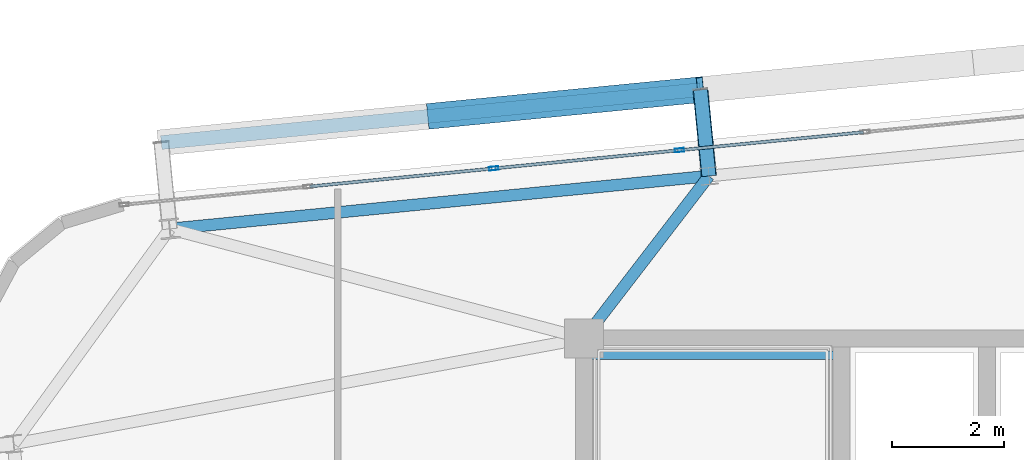
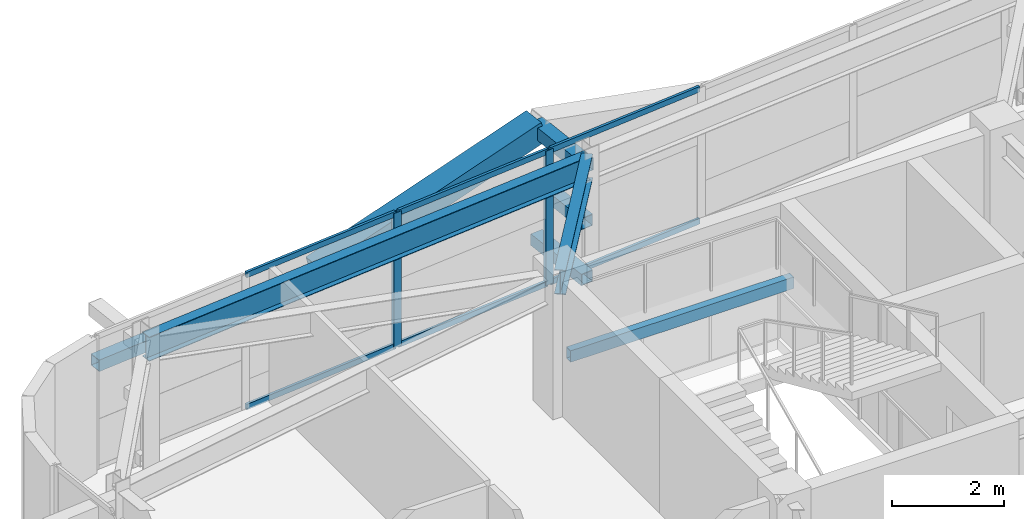
# One storey, part 28 of 54: 13 members, 3 beams, 1 element without a shape of its own.
"""IFC4 building model written with IfcOpenShell, lengths in metres."""

from ifc_helpers import new_model, si_unit, direction, frame, origin, origin_2d, place, context, subcontext, project, spatial, hollow_rectangle, i_section, extrude, source, transform, mapped, material, layer, layer_set, material_profile, profile_set, type_object, element, aggregate, save


model = new_model("IFC4")

# Units and contexts
model_context = context("Model", 3, precision=1e-05, world=origin(), true_north=direction((0.0, 1.0)))
body_context = subcontext(model_context, "Body", "Model", "MODEL_VIEW")
ifc_project = project(units=[si_unit("LENGTHUNIT", "METRE"), si_unit("AREAUNIT", "SQUARE_METRE"), si_unit("VOLUMEUNIT", "CUBIC_METRE"), si_unit("PLANEANGLEUNIT", "RADIAN"), si_unit("MASSUNIT", "GRAM", prefix="KILO")], contexts=[model_context])

# Site, building, storey
site_placement = place(None, origin())
site = spatial("IfcSite", under=ifc_project, at=site_placement, CompositionType="ELEMENT")
building_placement = place(site_placement, origin())
building = spatial("IfcBuilding", under=site, at=building_placement, Name="Taldren Reach Tower", CompositionType="ELEMENT")
storey_placement = place(building_placement, frame((0.0, 0.0, 99.75)))
storey = spatial("IfcBuildingStorey", under=building, at=storey_placement, Name="L30", CompositionType="ELEMENT", Elevation=99.75)

# Beams
ifc_material_1 = material(Name="Steel Gr 350 (350PLUS)", Category="steel")
ifc_material_profile_1 = material_profile(ifc_material_1, i_section(OverallWidth=0.208984375, OverallDepth=0.528076171875, WebThickness=0.009521484375, FlangeThickness=0.01318359375, at=origin_2d()), Name="530UB82.0")
ifc_profile_set_1 = profile_set([ifc_material_profile_1], Name="Steel Gr 350 (350PLUS)")
beam_type_1 = type_object("IfcBeamType", Name="SP-UB530B", PredefinedType="SPANDREL", material=ifc_profile_set_1)
shared_shape_1 = source(origin(), body_context, "Body", "SweptSolid", [
    extrude(i_section(OverallWidth=0.208984375, OverallDepth=0.528076171875, WebThickness=0.009521484375, FlangeThickness=0.01318359375, at=origin_2d()), origin(), (0.0, 0.0, 1.0), 9.679931640625),
])
beam_1_placement = place(storey_placement, frame((21.230712890625, 34.9013671875, 2.666015625), z_axis=(-0.995227612658, -0.097580730699, 0.0), x_axis=(0.097580730699, -0.995227612658, 0.0)))
element("IfcBeam", 1, at=beam_1_placement, inside=storey, type_object=beam_type_1, Name="Perimeter spandrel B2 N2-N1 L30", PredefinedType="SPANDREL", context=body_context, shape_type="MappedRepresentation", body=[
    mapped(shared_shape_1, transform((0.0, 0.0, 0.0), scale=1.0)),
])
ifc_material_profile_2 = material_profile(ifc_material_1, i_section(OverallWidth=0.208984375, OverallDepth=0.532958984375, WebThickness=0.01025390625, FlangeThickness=0.015625, at=origin_2d()), Name="530UB92.4")
ifc_profile_set_2 = profile_set([ifc_material_profile_2], Name="Steel Gr 350 (350PLUS)")
beam_type_2 = type_object("IfcBeamType", Name="BM-UB530A", PredefinedType="BEAM", material=ifc_profile_set_2)
shared_shape_2 = source(origin(), body_context, "Body", "SweptSolid", [
    extrude(i_section(OverallWidth=0.208984375, OverallDepth=0.532958984375, WebThickness=0.01025390625, FlangeThickness=0.015625, at=origin_2d()), origin(), (0.0, 0.0, 1.0), 3.65966796875),
])
beam_2_placement = place(storey_placement, frame((19.0, 32.0, 2.66357421875), z_axis=(0.609520535722, 0.792770279799, 0.0), x_axis=(-0.792770279799, 0.609520535722, 0.0)))
element("IfcBeam", 2, at=beam_2_placement, inside=storey, type_object=beam_type_2, Name="Primary floor girder B2-N2 L30", PredefinedType="BEAM", context=body_context, shape_type="MappedRepresentation", body=[
    mapped(shared_shape_2, transform((0.0, 0.0, 0.0), scale=1.0)),
])

# Members
ifc_material_2 = material(Name="Steel Gr 450 (C450L0)", Category="steel")
ifc_material_profile_3 = material_profile(ifc_material_2, hollow_rectangle(XDim=0.27490234375, YDim=0.27490234375, WallThickness=0.00927734375, at=origin_2d()), Name="275x275x9.3SHS")
ifc_profile_set_3 = profile_set([ifc_material_profile_3], Name="Steel Gr 450 (C450L0)")
member_type_1 = type_object("IfcMemberType", Name="MB-TIE273", PredefinedType="STRUT", material=ifc_profile_set_3)
shared_shape_3 = source(origin(), body_context, "Body", "SweptSolid", [
    extrude(hollow_rectangle(XDim=0.27490234375, YDim=0.27490234375, WallThickness=0.00927734375, at=origin_2d()), origin(), (0.0, 0.0, 1.0), 1.550048828125),
])
member_1_placement = place(storey_placement, frame((21.230712890625, 34.9013671875, 2.64990234375), z_axis=(-0.097647892962, 0.9952210252, 0.0), x_axis=(-0.9952210252, -0.097647892962, 0.0)))
element("IfcMember", 3, at=member_1_placement, inside=storey, type_object=member_type_1, Name="Exoskeleton diaphragm tie strut B2-N2 L30", PredefinedType="STRUT", context=body_context, shape_type="MappedRepresentation", body=[
    mapped(shared_shape_3, transform((0.0, 0.0, 0.0), scale=1.0)),
])
ifc_material_profile_4 = material_profile(ifc_material_2, hollow_rectangle(XDim=0.4599609375, YDim=0.4599609375, WallThickness=0.01611328125, at=origin_2d()), Name="460x460x16.0SHS")
ifc_profile_set_4 = profile_set([ifc_material_profile_4], Name="Steel Gr 450 (C450L0)")
member_type_2 = type_object("IfcMemberType", Name="MB-EXO457", PredefinedType="BRACE", material=ifc_profile_set_4)
shared_shape_4 = source(origin(), body_context, "Body", "SweptSolid", [
    extrude(hollow_rectangle(XDim=0.4599609375, YDim=0.4599609375, WallThickness=0.01611328125, at=origin_2d()), origin(), (0.0, 0.0, 1.0), 4.990234375),
])
member_2_placement = place(storey_placement, frame((16.262451171875, 35.9716796875, 1.43505859375), z_axis=(0.965282554799, 0.094669120301, 0.243448859234), x_axis=(-0.097605711627, 0.995225162995, 0.0)))
element("IfcMember", 4, at=member_2_placement, inside=storey, type_object=member_type_2, Name="Exoskeleton Diagrid Brace B2-N1 L30", PredefinedType="BRACE", context=body_context, shape_type="MappedRepresentation", body=[
    mapped(shared_shape_4, transform((0.0, 0.0, 0.0), scale=1.0)),
])
ifc_material_3 = material(Name="Steel Gr 350 (C350L0)", Category="steel")
ifc_material_profile_5 = material_profile(ifc_material_3, hollow_rectangle(XDim=0.25, YDim=0.25, WallThickness=0.010009765625, at=origin_2d()), Name="250x250x10.0SHS")
ifc_profile_set_5 = profile_set([ifc_material_profile_5], Name="Steel Gr 350 (C350L0)")
member_type_3 = type_object("IfcMemberType", Name="MB-POST250", PredefinedType="POST", material=ifc_profile_set_5)
shared_shape_5 = source(origin(), body_context, "Body", "SweptSolid", [
    extrude(hollow_rectangle(XDim=0.25, YDim=0.25, WallThickness=0.010009765625, at=origin_2d()), origin(), (0.0, 0.0, 1.0), 9.679931640625),
])
member_3_placement = place(storey_placement, frame((11.445556640625, 35.49951171875, 1.43505859375), z_axis=(0.995227612658, 0.097580730699, 0.0), x_axis=(-0.097580730699, 0.995227612658, 0.0)))
element("IfcMember", 5, at=member_3_placement, inside=storey, type_object=member_type_3, Name="Exoskeleton mid-height ring chord B2-N1 L30", PredefinedType="POST", context=body_context, shape_type="MappedRepresentation", body=[
    mapped(shared_shape_5, transform((0.0, 0.0, 0.0), scale=1.0)),
])
shared_shape_6 = source(origin(), body_context, "Body", "SweptSolid", [
    extrude(hollow_rectangle(XDim=0.25, YDim=0.25, WallThickness=0.010009765625, at=origin_2d()), origin(), (0.0, 0.0, 1.0), 1.550048828125),
])
for number, where, z_axis, x_axis, name in (
    (6, (21.230712890625, 34.9013671875, 0.219970703125), (-0.097647892962, 0.9952210252, 0.0), (-0.9952210252, -0.097647892962, 0.0), "Exoskeleton base diaphragm tie strut B2-N2 L30"),
    (7, (21.230712890625, 34.9013671875, 1.43505859375), (-0.097647892962, 0.9952210252, 0.0), (-0.9952210252, -0.097647892962, 0.0), "Exoskeleton mid-tier diaphragm tie B2-N2 L30"),
):
    element("IfcMember", number, at=place(storey_placement, frame(where, z_axis=z_axis, x_axis=x_axis)), inside=storey, type_object=member_type_3, Name=name, PredefinedType="POST", context=body_context, shape_type="MappedRepresentation", body=[
        mapped(shared_shape_6, transform((0.0, 0.0, 0.0), scale=1.0)),
    ])

# Curtain wall, members
ifc_material_4 = material(Name="Aluminium and Low-E Glass Unitised System", Category="aluminium")
ifc_layer = layer(ifc_material_4, 0.159912109375)
ifc_layer_set = layer_set([ifc_layer], Name="Aluminium and Low-E Glass Unitised System")
curtain_wall_type = type_object("IfcCurtainWallType", Name="CW-SYS-3", PredefinedType="NOTDEFINED", material=ifc_layer_set)
curtain_wall_placement = place(storey_placement, origin())
curtain_wall = element("IfcCurtainWall", 8, at=curtain_wall_placement, inside=storey, type_object=curtain_wall_type, Name="Unitised curtain wall CW-L30-N", PredefinedType="NOTDEFINED")
ifc_material_5 = material(Name="Anodised Aluminium 6063-T6", Category="aluminium")
ifc_material_profile_6 = material_profile(ifc_material_5, hollow_rectangle(XDim=0.06494140625, YDim=0.1650390625, WallThickness=0.00390625, at=origin_2d()), Name="ALU-165x65x4RHS")
ifc_profile_set_6 = profile_set([ifc_material_profile_6], Name="Anodised Aluminium 6063-T6")
member_type_4 = type_object("IfcMemberType", Name="CW-MUL-165", PredefinedType="MULLION", material=ifc_profile_set_6)
shared_shape_7 = source(origin(), body_context, "Body", "SweptSolid", [
    extrude(hollow_rectangle(XDim=0.06494140625, YDim=0.1650390625, WallThickness=0.00390625, at=origin_2d()), origin(), (0.0, 0.0, 1.0), 2.929931640625),
])
member_4_placement = place(storey_placement, frame((20.703125, 35.3623046875, 0.0), z_axis=(0.0, 0.0, 1.0), x_axis=(0.097582999046, -0.995227390247, 0.0)))
member_4 = element("IfcMember", 9, at=member_4_placement, type_object=member_type_4, Name="CW-3 mullion 13", PredefinedType="MULLION", context=body_context, shape_type="MappedRepresentation", body=[
    mapped(shared_shape_7, transform((0.0, 0.0, 0.0), scale=1.0)),
])
member_5_placement = place(storey_placement, frame((17.3857421875, 35.036865234375, 0.0), z_axis=(0.0, 0.0, 1.0), x_axis=(0.097582999046, -0.995227390247, 0.0)))
member_5 = element("IfcMember", 10, at=member_5_placement, type_object=member_type_4, Name="CW-3 mullion 14", PredefinedType="MULLION", context=body_context, shape_type="MappedRepresentation", body=[
    mapped(shared_shape_7, transform((0.0, 0.0, 0.0), scale=1.0)),
])
ifc_material_profile_7 = material_profile(ifc_material_5, hollow_rectangle(XDim=0.054931640625, YDim=0.1201171875, WallThickness=0.0029296875, at=origin_2d()), Name="ALU-120x55x3RHS")
ifc_profile_set_7 = profile_set([ifc_material_profile_7], Name="Anodised Aluminium 6063-T6")
member_type_5 = type_object("IfcMemberType", Name="CW-TRN-135", PredefinedType="USERDEFINED", material=ifc_profile_set_7)
shared_shape_8 = source(origin(), body_context, "Body", "SweptSolid", [
    extrude(hollow_rectangle(XDim=0.054931640625, YDim=0.1201171875, WallThickness=0.0029296875, at=origin_2d()), origin(), (0.0, 0.0, 1.0), 3.268310546875),
])
member_6_placement = place(storey_placement, frame((23.98828125, 35.684326171875, 0.027587890625), z_axis=(-0.99522980512, -0.097558367146, 0.0), x_axis=(0.097558367146, -0.99522980512, 0.0)))
member_6 = element("IfcMember", 11, at=member_6_placement, type_object=member_type_5, Name="CW-3 transom 12.1", ObjectType="TRANSOM", PredefinedType="USERDEFINED", context=body_context, shape_type="MappedRepresentation", body=[
    mapped(shared_shape_8, transform((0.0, 0.0, 0.0), scale=1.0)),
])
member_7_placement = place(storey_placement, frame((23.98828125, 35.684326171875, 2.902587890625), z_axis=(-0.99522980512, -0.097558367146, 0.0), x_axis=(0.097558367146, -0.99522980512, 0.0)))
member_7 = element("IfcMember", 12, at=member_7_placement, type_object=member_type_5, Name="CW-3 transom 12.2", ObjectType="TRANSOM", PredefinedType="USERDEFINED", context=body_context, shape_type="MappedRepresentation", body=[
    mapped(shared_shape_8, transform((0.0, 0.0, 0.0), scale=1.0)),
])
member_8_placement = place(storey_placement, frame((17.353271484375, 35.03369140625, 0.027587890625), z_axis=(-0.99522980512, -0.097558367146, 0.0), x_axis=(0.097558367146, -0.99522980512, 0.0)))
member_8 = element("IfcMember", 13, at=member_8_placement, type_object=member_type_5, Name="CW-3 transom 14.1", ObjectType="TRANSOM", PredefinedType="USERDEFINED", context=body_context, shape_type="MappedRepresentation", body=[
    mapped(shared_shape_8, transform((0.0, 0.0, 0.0), scale=1.0)),
])
member_9_placement = place(storey_placement, frame((17.353271484375, 35.03369140625, 2.902587890625), z_axis=(-0.99522980512, -0.097558367146, 0.0), x_axis=(0.097558367146, -0.99522980512, 0.0)))
member_9 = element("IfcMember", 14, at=member_9_placement, type_object=member_type_5, Name="CW-3 transom 14.2", ObjectType="TRANSOM", PredefinedType="USERDEFINED", context=body_context, shape_type="MappedRepresentation", body=[
    mapped(shared_shape_8, transform((0.0, 0.0, 0.0), scale=1.0)),
])
shared_shape_9 = source(origin(), body_context, "Body", "SweptSolid", [
    extrude(hollow_rectangle(XDim=0.054931640625, YDim=0.1201171875, WallThickness=0.0029296875, at=origin_2d()), origin(), (0.0, 0.0, 1.0), 3.2685546875),
])
member_10_placement = place(storey_placement, frame((20.6708984375, 35.359130859375, 0.027587890625), z_axis=(-0.995223261527, -0.09762509778, 0.0), x_axis=(0.09762509778, -0.995223261527, 0.0)))
member_10 = element("IfcMember", 15, at=member_10_placement, type_object=member_type_5, Name="CW-3 transom 13.1", ObjectType="TRANSOM", PredefinedType="USERDEFINED", context=body_context, shape_type="MappedRepresentation", body=[
    mapped(shared_shape_9, transform((0.0, 0.0, 0.0), scale=1.0)),
])
member_11_placement = place(storey_placement, frame((20.6708984375, 35.359130859375, 2.902587890625), z_axis=(-0.995223261527, -0.09762509778, 0.0), x_axis=(0.09762509778, -0.995223261527, 0.0)))
member_11 = element("IfcMember", 16, at=member_11_placement, type_object=member_type_5, Name="CW-3 transom 13.2", ObjectType="TRANSOM", PredefinedType="USERDEFINED", context=body_context, shape_type="MappedRepresentation", body=[
    mapped(shared_shape_9, transform((0.0, 0.0, 0.0), scale=1.0)),
])
aggregate(curtain_wall, [member_4, member_5, member_6, member_7, member_10, member_11, member_8, member_9])

# Beam
ifc_material_profile_8 = material_profile(ifc_material_3, hollow_rectangle(XDim=0.14990234375, YDim=0.25, WallThickness=0.009033203125, at=origin_2d()), Name="250x150x9.0RHS")
ifc_profile_set_8 = profile_set([ifc_material_profile_8], Name="Steel Gr 350 (C350L0)")
beam_type_3 = type_object("IfcBeamType", Name="LN-RHS250", PredefinedType="LINTEL", material=ifc_profile_set_8)
shared_shape_10 = source(origin(), body_context, "Body", "SweptSolid", [
    extrude(hollow_rectangle(XDim=0.14990234375, YDim=0.25, WallThickness=0.009033203125, at=origin_2d()), origin(), (0.0, 0.0, 1.0), 4.60009765625),
])
beam_3_placement = place(storey_placement, frame((19.0, 31.699951171875, 1.27001953125), z_axis=(1.0, 0.0, 0.0), x_axis=(0.0, 1.0, 0.0)))
element("IfcBeam", 17, at=beam_3_placement, inside=storey, type_object=beam_type_3, Name="Stair half-landing support beam ST1-L30-2", PredefinedType="LINTEL", context=body_context, shape_type="MappedRepresentation", body=[
    mapped(shared_shape_10, transform((0.0, 0.0, 0.0), scale=1.0)),
])

save(model, "model.ifc")
